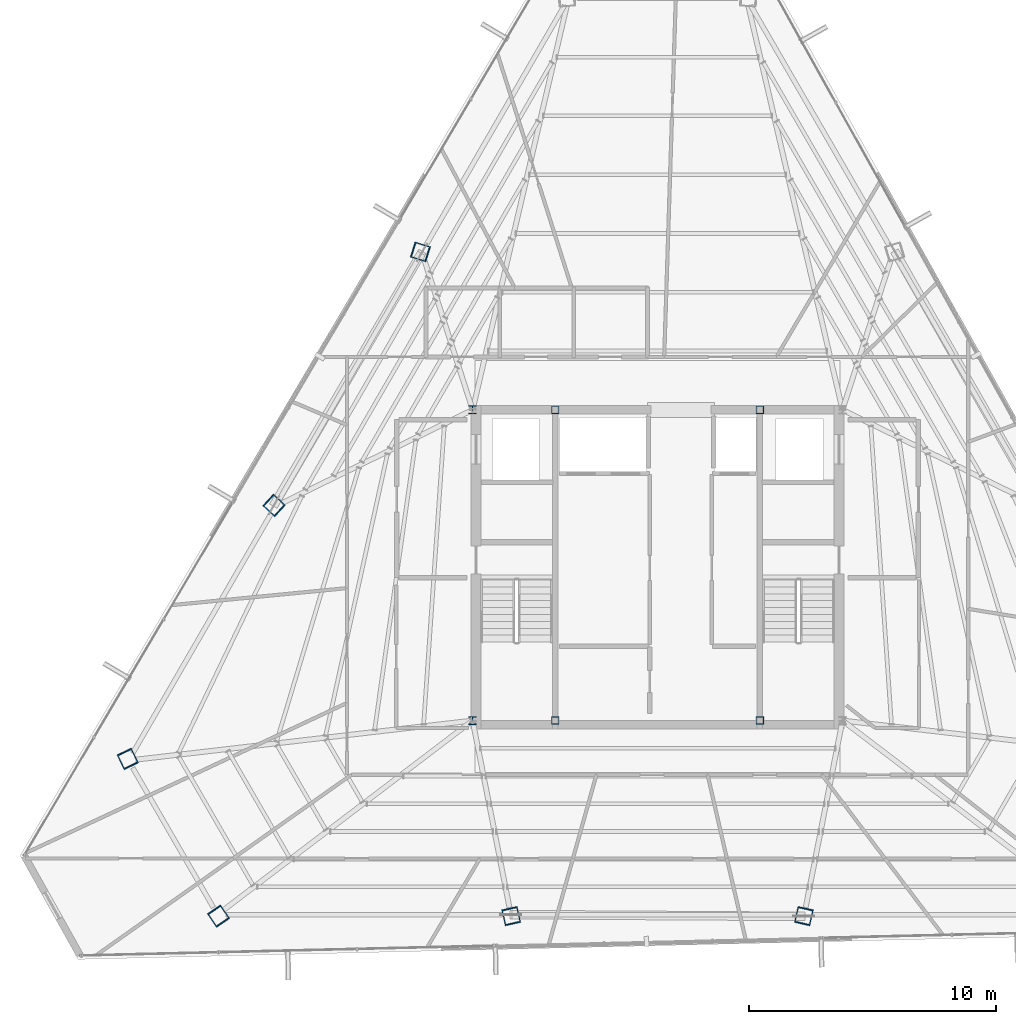
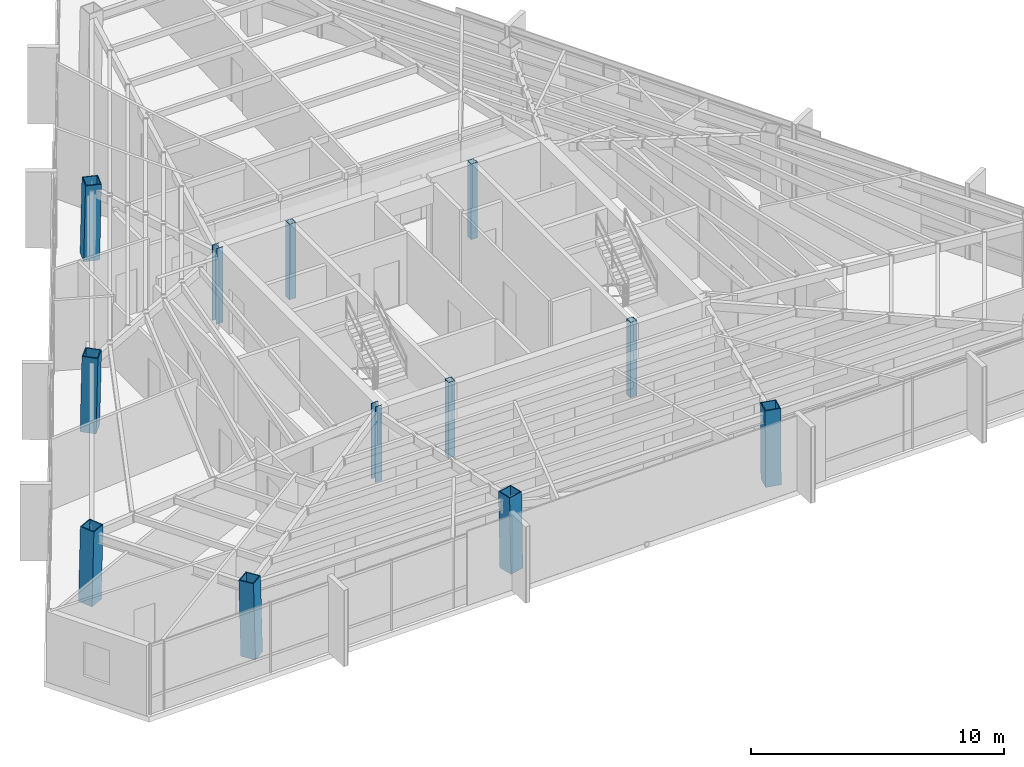
# One storey, part 1 of 45: 12 columns.
"""IFC4 building model written with IfcOpenShell, lengths in metres."""

from ifc_helpers import new_model, si_unit, direction, frame, origin, origin_2d, place, context, subcontext, project, spatial, hollow_rectangle, i_section, extrude, source, transform, mapped, material, material_profile, profile_set, type_object, type_shapes, element, save


model = new_model("IFC4")

# Units and contexts
model_context = context("Model", 3, precision=1e-05, world=origin(), true_north=direction((0.0, 1.0)))
body_context = subcontext(model_context, "Body", "Model", "MODEL_VIEW")
ifc_project = project(units=[si_unit("LENGTHUNIT", "METRE"), si_unit("AREAUNIT", "SQUARE_METRE"), si_unit("VOLUMEUNIT", "CUBIC_METRE"), si_unit("PLANEANGLEUNIT", "RADIAN"), si_unit("MASSUNIT", "GRAM", prefix="KILO")], contexts=[model_context])

# Site, building, storey
site_placement = place(None, origin())
site = spatial("IfcSite", under=ifc_project, at=site_placement, CompositionType="ELEMENT")
building_placement = place(site_placement, origin())
building = spatial("IfcBuilding", under=site, at=building_placement, Name="Caelisora Broadcast Tower", CompositionType="ELEMENT")
storey_placement = place(building_placement, frame((0.0, 0.0, 262.699951171875)))
storey = spatial("IfcBuildingStorey", under=building, at=storey_placement, Name="L69", CompositionType="ELEMENT", Elevation=262.699951171875)

# Columns
ifc_material_1 = material(Name="Steel Grade 350 (AS/NZS 3679.1)", Category="steel")
ifc_material_profile_1 = material_profile(ifc_material_1, i_section(OverallWidth=0.31103515625, OverallDepth=0.3271484375, WebThickness=0.015625, FlangeThickness=0.02490234375, at=origin_2d()), Name="Steel Grade 350 (AS/NZS 3679.1)")
ifc_profile_set_1 = profile_set([ifc_material_profile_1], Name="Steel Grade 350 (AS/NZS 3679.1)")
column_type_1 = type_object("IfcColumnType", Name="CC03", PredefinedType="COLUMN", material=ifc_profile_set_1)
shared_shape_1 = source(origin(), body_context, "Body", "SweptSolid", [
    extrude(i_section(OverallWidth=0.31103515625, OverallDepth=0.3271484375, WebThickness=0.015625, FlangeThickness=0.02490234375, at=origin_2d()), origin(), (0.0, 0.0, 1.0), 3.650146484375),
])
type_shapes(column_type_1, [shared_shape_1])
for number, where, z_axis, x_axis, name in (
    (1, (30.5, 17.39990234375, 0.0), (0.0, 0.0, 1.0), (1.0, 0.0, 0.0), "L69 column CC03"),
    (2, (30.5, 30.0, 0.0), (0.0, 0.0, 1.0), (1.0, 0.0, 0.0), "L69 column CC03"),
):
    element("IfcColumn", number, at=place(storey_placement, frame(where, z_axis=z_axis, x_axis=x_axis)), inside=storey, type_object=column_type_1, Name=name, PredefinedType="COLUMN", context=body_context, shape_type="MappedRepresentation", body=[
        mapped(shared_shape_1, transform((0.0, 0.0, 0.0), scale=1.0)),
    ])
ifc_material_2 = material(Name="Steel Grade 350 L15 (AS/NZS 3678)", Category="steel")
ifc_material_profile_2 = material_profile(ifc_material_2, hollow_rectangle(XDim=0.64990234375, YDim=0.64990234375, WallThickness=0.0400390625, at=origin_2d()), Name="Steel Grade 350 L15 (AS/NZS 3678)")
ifc_profile_set_2 = profile_set([ifc_material_profile_2], Name="Steel Grade 350 L15 (AS/NZS 3678)")
column_type_2 = type_object("IfcColumnType", Name="MC06", PredefinedType="COLUMN", material=ifc_profile_set_2)
shared_shape_2 = source(origin(), body_context, "Body", "SweptSolid", [
    extrude(hollow_rectangle(XDim=0.64990234375, YDim=0.64990234375, WallThickness=0.0400390625, at=origin_2d()), origin(), (0.0, 0.0, 1.0), 3.651123046875),
])
for number, where, z_axis, x_axis, name in (
    (3, (16.505859375, 15.857421875, 0.0), (0.010364239282, -0.021530871282, 0.999714461297), (0.901042175273, 0.433731481886, 0.0), "L69 column MC06"),
    (4, (20.201416015625, 9.456787109375, 0.0), (-0.013506922627, 0.019792322266, 0.999712872289), (-0.825991119814, -0.563683129062, 0.0), "L69 column MC06"),
):
    element("IfcColumn", number, at=place(storey_placement, frame(where, z_axis=z_axis, x_axis=x_axis)), inside=storey, type_object=column_type_2, Name=name, PredefinedType="COLUMN", context=body_context, shape_type="MappedRepresentation", body=[
        mapped(shared_shape_2, transform((0.0, 0.0, 0.0), scale=1.0)),
    ])
shared_shape_3 = source(origin(), body_context, "Body", "SweptSolid", [
    extrude(hollow_rectangle(XDim=0.64990234375, YDim=0.64990234375, WallThickness=0.0400390625, at=origin_2d()), origin(), (0.0, 0.0, 1.0), 3.65087890625),
])
type_shapes(column_type_2, [shared_shape_2, shared_shape_3])
for number, where, z_axis, x_axis, name in (
    (5, (28.37158203125, 36.40966796875, 0.0), (0.01939269685, -0.00601842316, 0.999793829693), (0.296399214872, 0.955064136811, 0.0), "L69 column MC06"),
    (6, (22.438720703125, 26.133544921875, 0.0), (0.014912316331, -0.013775502979, 0.999793907933), (0.678553674548, 0.734550822447, 0.0), "L69 column MC06"),
    (7, (32.067138671875, 9.456787109375, 0.0), (-0.004480382638, 0.019793929266, 0.999794042058), (-0.975326687046, -0.220766513622, 0.0), "L69 column MC06"),
    (8, (43.932861328125, 9.456787109375, 0.0), (0.004480382638, 0.019793929266, 0.999794042058), (-0.975326687046, 0.220766513622, 0.0), "L69 column MC06"),
):
    element("IfcColumn", number, at=place(storey_placement, frame(where, z_axis=z_axis, x_axis=x_axis)), inside=storey, type_object=column_type_2, Name=name, PredefinedType="COLUMN", context=body_context, shape_type="MappedRepresentation", body=[
        mapped(shared_shape_3, transform((0.0, 0.0, 0.0), scale=1.0)),
    ])
ifc_material_3 = material(Name="Steel Grade 350 (AS/NZS 1163 C350L0)", Category="steel")
ifc_material_profile_3 = material_profile(ifc_material_3, hollow_rectangle(XDim=0.300048828125, YDim=0.300048828125, WallThickness=0.012451171875, at=origin_2d()), Name="Steel Grade 350 (AS/NZS 1163 C350L0)")
ifc_profile_set_3 = profile_set([ifc_material_profile_3], Name="Steel Grade 350 (AS/NZS 1163 C350L0)")
column_type_3 = type_object("IfcColumnType", Name="CC08", PredefinedType="COLUMN", material=ifc_profile_set_3)
shared_shape_4 = source(origin(), body_context, "Body", "SweptSolid", [
    extrude(hollow_rectangle(XDim=0.300048828125, YDim=0.300048828125, WallThickness=0.012451171875, at=origin_2d()), origin(), (0.0, 0.0, 1.0), 3.650146484375),
])
type_shapes(column_type_3, [shared_shape_4])
for number, where, z_axis, x_axis, name in (
    (9, (33.85009765625, 17.39990234375, 0.0), (0.0, 0.0, 1.0), (1.0, 0.0, 0.0), "L69 column CC08"),
    (10, (42.14990234375, 17.39990234375, 0.0), (0.0, 0.0, 1.0), (1.0, 0.0, 0.0), "L69 column CC08"),
    (11, (33.85009765625, 30.0, 0.0), (0.0, 0.0, 1.0), (1.0, 0.0, 0.0), "L69 column CC08"),
    (12, (42.14990234375, 30.0, 0.0), (0.0, 0.0, 1.0), (1.0, 0.0, 0.0), "L69 column CC08"),
):
    element("IfcColumn", number, at=place(storey_placement, frame(where, z_axis=z_axis, x_axis=x_axis)), inside=storey, type_object=column_type_3, Name=name, PredefinedType="COLUMN", context=body_context, shape_type="MappedRepresentation", body=[
        mapped(shared_shape_4, transform((0.0, 0.0, 0.0), scale=1.0)),
    ])

save(model, "model.ifc")
